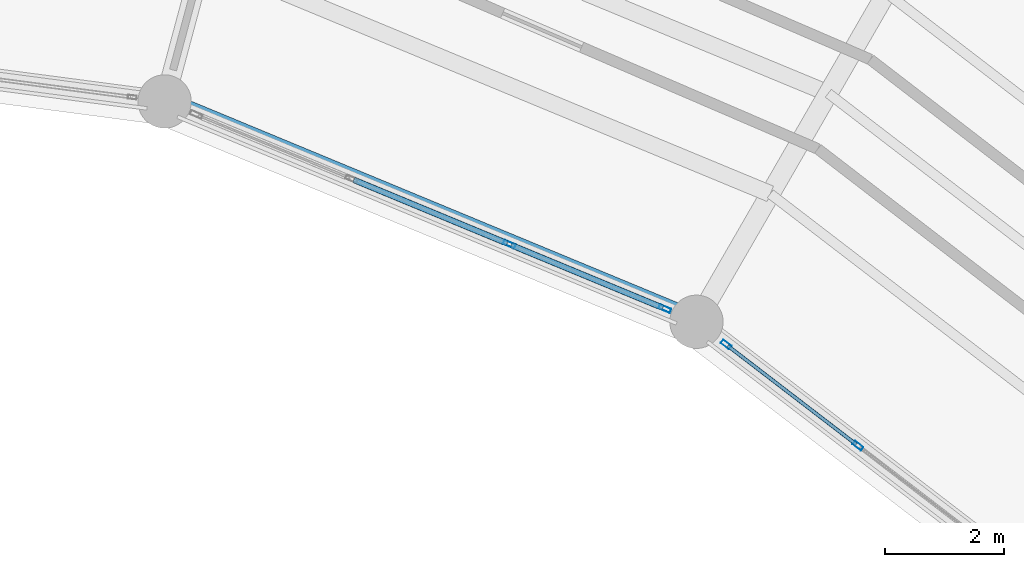
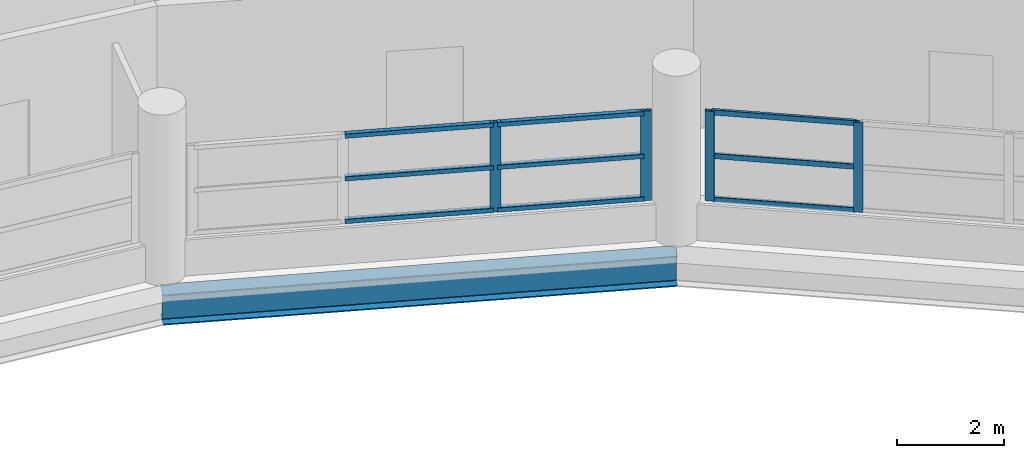
# One storey, part 67 of 108: 13 members, 1 beam, 2 elements without a shape of their own.
"""IFC4 building model written with IfcOpenShell, lengths in metres."""

from ifc_helpers import new_model, si_unit, direction, frame, origin, origin_2d, place, context, subcontext, project, spatial, hollow_rectangle, i_section, extrude, material, layer, layer_set, material_profile, profile_set, type_object, element, aggregate, save


model = new_model("IFC4")

# Units and contexts
model_context = context("Model", 3, precision=1e-05, world=origin(), true_north=direction((0.0, 1.0)))
body_context = subcontext(model_context, "Body", "Model", "MODEL_VIEW")
ifc_project = project(units=[si_unit("LENGTHUNIT", "METRE"), si_unit("AREAUNIT", "SQUARE_METRE"), si_unit("VOLUMEUNIT", "CUBIC_METRE"), si_unit("PLANEANGLEUNIT", "RADIAN"), si_unit("MASSUNIT", "GRAM", prefix="KILO")], contexts=[model_context])

# Site, building, storey
site_placement = place(None, origin())
site = spatial("IfcSite", under=ifc_project, at=site_placement, CompositionType="ELEMENT")
building_placement = place(site_placement, origin())
building = spatial("IfcBuilding", under=site, at=building_placement, Name="Vespera Passage Community Centre", CompositionType="ELEMENT")
storey_placement = place(building_placement, frame((0.0, 0.0, 12.60009765625)))
storey = spatial("IfcBuildingStorey", under=building, at=storey_placement, Name="L03", CompositionType="ELEMENT", Elevation=12.60009765625)

# Beam
ifc_material_1 = material(Name="Steel ASTM A992 Grade 50", Category="steel")
ifc_material_profile_1 = material_profile(ifc_material_1, i_section(OverallWidth=0.3544921875, OverallDepth=0.695556640625, WebThickness=0.015380859375, FlangeThickness=0.024658203125, FilletRadius=0.01513671875, at=origin_2d()), Name="W27X146")
ifc_profile_set_1 = profile_set([ifc_material_profile_1], Name="Steel ASTM A992 Grade 50")
beam_type = type_object("IfcBeamType", Name="BM-SP-W27X146E", PredefinedType="SPANDREL", material=ifc_profile_set_1)
beam_placement = place(storey_placement, frame((96.60009765625, 97.716064453125, -0.747802734375), z_axis=(-0.923878947685, 0.382684844258, 0.0), x_axis=(-0.382684844258, -0.923878947685, 0.0)))
element("IfcBeam", 1, at=beam_placement, inside=storey, type_object=beam_type, Name="V4 L03 Inner Spandrel 4", PredefinedType="SPANDREL", context=body_context, shape_type="SweptSolid", body=[
    extrude(i_section(OverallWidth=0.3544921875, OverallDepth=0.695556640625, WebThickness=0.015380859375, FlangeThickness=0.024658203125, FilletRadius=0.01513671875, at=origin_2d()), origin(), (0.0, 0.0, 1.0), 9.711181640625),
])

# Curtain wall, members
ifc_material_2 = material(Name="Anodized aluminium 6063-T6", Category="aluminium")
ifc_layer_1 = layer(ifc_material_2, 0.159912109375)
ifc_layer_set_1 = layer_set([ifc_layer_1], Name="Anodized aluminium 6063-T6")
curtain_wall_type_1 = type_object("IfcCurtainWallType", Name="CW-38E", PredefinedType="NOTDEFINED", material=ifc_layer_set_1)
curtain_wall_1_placement = place(storey_placement, origin())
curtain_wall_1 = element("IfcCurtainWall", 2, at=curtain_wall_1_placement, inside=storey, type_object=curtain_wall_type_1, Name="V4 L03 Inner Court Curtain Wall 3", PredefinedType="NOTDEFINED")
ifc_material_3 = material(Name="Anodized aluminium 6063-T6", Category="aluminium")
ifc_material_profile_2 = material_profile(ifc_material_3, hollow_rectangle(XDim=0.074951171875, YDim=0.179931640625, WallThickness=0.0048828125, InnerFilletRadius=0.00244140625, OuterFilletRadius=0.0048828125, at=origin_2d()), Name="ALU180X75X5")
ifc_profile_set_2 = profile_set([ifc_material_profile_2], Name="Anodized aluminium 6063-T6")
member_type_1 = type_object("IfcMemberType", Name="MB-CWM-180E", PredefinedType="MULLION", material=ifc_profile_set_2)
member_1_placement = place(storey_placement, frame((99.324951171875, 95.625244140625, 0.81982421875), z_axis=(0.0, 0.0, 1.0), x_axis=(-0.608755087843, -0.793358205999, 0.0)))
member_1 = element("IfcMember", 3, at=member_1_placement, type_object=member_type_1, Name="CW-38E mullion 3", PredefinedType="MULLION", context=body_context, shape_type="SweptSolid", body=[
    extrude(hollow_rectangle(XDim=0.074951171875, YDim=0.179931640625, WallThickness=0.0048828125, InnerFilletRadius=0.00244140625, OuterFilletRadius=0.0048828125, at=origin_2d()), origin(), (0.0, 0.0, 1.0), 2.049560546875),
])
member_2_placement = place(storey_placement, frame((97.100341796875, 97.332275390625, 0.81982421875), z_axis=(0.0, 0.0, 1.0), x_axis=(-0.608755087843, -0.793358205999, 0.0)))
member_2 = element("IfcMember", 4, at=member_2_placement, type_object=member_type_1, Name="CW-38E mullion 4", PredefinedType="MULLION", context=body_context, shape_type="SweptSolid", body=[
    extrude(hollow_rectangle(XDim=0.074951171875, YDim=0.179931640625, WallThickness=0.0048828125, InnerFilletRadius=0.00244140625, OuterFilletRadius=0.0048828125, at=origin_2d()), origin(), (0.0, 0.0, 1.0), 2.049560546875),
])

ifc_material_4 = material(Name="Anodized aluminium 6063-T6", Category="aluminium")
ifc_layer_2 = layer(ifc_material_4, 0.159912109375)
ifc_layer_set_2 = layer_set([ifc_layer_2], Name="Anodized aluminium 6063-T6")
curtain_wall_type_2 = type_object("IfcCurtainWallType", Name="CW-40E", PredefinedType="NOTDEFINED", material=ifc_layer_set_2)
curtain_wall_2_placement = place(storey_placement, origin())
curtain_wall_2 = element("IfcCurtainWall", 5, at=curtain_wall_2_placement, inside=storey, type_object=curtain_wall_type_2, Name="V4 L03 Inner Court Curtain Wall 4", PredefinedType="NOTDEFINED")
ifc_material_5 = material(Name="Anodized aluminium 6063-T6", Category="aluminium")
ifc_material_profile_3 = material_profile(ifc_material_5, hollow_rectangle(XDim=0.074951171875, YDim=0.2099609375, WallThickness=0.0048828125, InnerFilletRadius=0.00244140625, OuterFilletRadius=0.0048828125, at=origin_2d()), Name="ALU210X75X5")
ifc_profile_set_3 = profile_set([ifc_material_profile_3], Name="Anodized aluminium 6063-T6")
member_type_2 = type_object("IfcMemberType", Name="MB-CWM-210E", PredefinedType="MULLION", material=ifc_profile_set_3)
member_3_placement = place(storey_placement, frame((96.066650390625, 97.93701171875, 0.81982421875), z_axis=(0.0, 0.0, 1.0), x_axis=(-0.382690463482, -0.923876620096, 0.0)))
member_3 = element("IfcMember", 6, at=member_3_placement, type_object=member_type_2, Name="CW-40E mullion 1", PredefinedType="MULLION", context=body_context, shape_type="SweptSolid", body=[
    extrude(hollow_rectangle(XDim=0.074951171875, YDim=0.2099609375, WallThickness=0.0048828125, InnerFilletRadius=0.00244140625, OuterFilletRadius=0.0048828125, at=origin_2d()), origin(), (0.0, 0.0, 1.0), 2.049560546875),
])
member_4_placement = place(storey_placement, frame((93.443115234375, 99.023681640625, 0.81982421875), z_axis=(0.0, 0.0, 1.0), x_axis=(-0.382690463482, -0.923876620096, 0.0)))
member_4 = element("IfcMember", 7, at=member_4_placement, type_object=member_type_2, Name="CW-40E mullion 2", PredefinedType="MULLION", context=body_context, shape_type="SweptSolid", body=[
    extrude(hollow_rectangle(XDim=0.074951171875, YDim=0.2099609375, WallThickness=0.0048828125, InnerFilletRadius=0.00244140625, OuterFilletRadius=0.0048828125, at=origin_2d()), origin(), (0.0, 0.0, 1.0), 2.049560546875),
])
ifc_material_6 = material(Name="Anodized aluminium 6063-T6", Category="aluminium")
ifc_material_profile_4 = material_profile(ifc_material_6, hollow_rectangle(XDim=0.10009765625, YDim=0.10009765625, WallThickness=0.00390625, InnerFilletRadius=0.001953125, OuterFilletRadius=0.00390625, at=origin_2d()), Name="ALU100X100X4")
ifc_profile_set_4 = profile_set([ifc_material_profile_4], Name="Anodized aluminium 6063-T6")
member_type_3 = type_object("IfcMemberType", Name="MB-CWT-100E", PredefinedType="USERDEFINED", material=ifc_profile_set_4)
member_5_placement = place(storey_placement, frame((96.0322265625, 97.951416015625, 0.869873046875), z_axis=(-0.923908142805, 0.382614353701, 0.0), x_axis=(-0.382614353701, -0.923908142805, 0.0)))
member_5 = element("IfcMember", 8, at=member_5_placement, type_object=member_type_3, Name="CW-40E transom 1.1", ObjectType="TRANSOM", PredefinedType="USERDEFINED", context=body_context, shape_type="SweptSolid", body=[
    extrude(hollow_rectangle(XDim=0.10009765625, YDim=0.10009765625, WallThickness=0.00390625, InnerFilletRadius=0.001953125, OuterFilletRadius=0.00390625, at=origin_2d()), origin(), (0.0, 0.0, 1.0), 2.764892578125),
])
member_6_placement = place(storey_placement, frame((96.0322265625, 97.951416015625, 1.844482421875), z_axis=(-0.923908142805, 0.382614353701, 0.0), x_axis=(-0.382614353701, -0.923908142805, 0.0)))
member_6 = element("IfcMember", 9, at=member_6_placement, type_object=member_type_3, Name="CW-40E transom 1.2", ObjectType="TRANSOM", PredefinedType="USERDEFINED", context=body_context, shape_type="SweptSolid", body=[
    extrude(hollow_rectangle(XDim=0.10009765625, YDim=0.10009765625, WallThickness=0.00390625, InnerFilletRadius=0.001953125, OuterFilletRadius=0.00390625, at=origin_2d()), origin(), (0.0, 0.0, 1.0), 2.764892578125),
])
member_7_placement = place(storey_placement, frame((96.0322265625, 97.951416015625, 2.8193359375), z_axis=(-0.923908142805, 0.382614353701, 0.0), x_axis=(-0.382614353701, -0.923908142805, 0.0)))
member_7 = element("IfcMember", 10, at=member_7_placement, type_object=member_type_3, Name="CW-40E transom 1.3", ObjectType="TRANSOM", PredefinedType="USERDEFINED", context=body_context, shape_type="SweptSolid", body=[
    extrude(hollow_rectangle(XDim=0.10009765625, YDim=0.10009765625, WallThickness=0.00390625, InnerFilletRadius=0.001953125, OuterFilletRadius=0.00390625, at=origin_2d()), origin(), (0.0, 0.0, 1.0), 2.764892578125),
])
member_8_placement = place(storey_placement, frame((93.408447265625, 99.0380859375, 0.869873046875), z_axis=(-0.923889408399, 0.382659588994, 0.0), x_axis=(-0.382659588994, -0.923889408399, 0.0)))
member_8 = element("IfcMember", 11, at=member_8_placement, type_object=member_type_3, Name="CW-40E transom 2.1", ObjectType="TRANSOM", PredefinedType="USERDEFINED", context=body_context, shape_type="SweptSolid", body=[
    extrude(hollow_rectangle(XDim=0.10009765625, YDim=0.10009765625, WallThickness=0.00390625, InnerFilletRadius=0.001953125, OuterFilletRadius=0.00390625, at=origin_2d()), origin(), (0.0, 0.0, 1.0), 2.80224609375),
])
member_9_placement = place(storey_placement, frame((93.408447265625, 99.0380859375, 1.844482421875), z_axis=(-0.923889408399, 0.382659588994, 0.0), x_axis=(-0.382659588994, -0.923889408399, 0.0)))
member_9 = element("IfcMember", 12, at=member_9_placement, type_object=member_type_3, Name="CW-40E transom 2.2", ObjectType="TRANSOM", PredefinedType="USERDEFINED", context=body_context, shape_type="SweptSolid", body=[
    extrude(hollow_rectangle(XDim=0.10009765625, YDim=0.10009765625, WallThickness=0.00390625, InnerFilletRadius=0.001953125, OuterFilletRadius=0.00390625, at=origin_2d()), origin(), (0.0, 0.0, 1.0), 2.80224609375),
])
member_10_placement = place(storey_placement, frame((93.408447265625, 99.0380859375, 2.8193359375), z_axis=(-0.923889408399, 0.382659588994, 0.0), x_axis=(-0.382659588994, -0.923889408399, 0.0)))
member_10 = element("IfcMember", 13, at=member_10_placement, type_object=member_type_3, Name="CW-40E transom 2.3", ObjectType="TRANSOM", PredefinedType="USERDEFINED", context=body_context, shape_type="SweptSolid", body=[
    extrude(hollow_rectangle(XDim=0.10009765625, YDim=0.10009765625, WallThickness=0.00390625, InnerFilletRadius=0.001953125, OuterFilletRadius=0.00390625, at=origin_2d()), origin(), (0.0, 0.0, 1.0), 2.80224609375),
])
aggregate(curtain_wall_2, [member_3, member_4, member_5, member_6, member_7, member_8, member_9, member_10])

# Member
ifc_material_7 = material(Name="Anodized aluminium 6063-T6", Category="aluminium")
ifc_material_profile_5 = material_profile(ifc_material_7, hollow_rectangle(XDim=0.06005859375, YDim=0.1201171875, WallThickness=0.00390625, InnerFilletRadius=0.001953125, OuterFilletRadius=0.00390625, at=origin_2d()), Name="ALU120X60X4")
ifc_profile_set_5 = profile_set([ifc_material_profile_5], Name="Anodized aluminium 6063-T6")
member_type_4 = type_object("IfcMemberType", Name="MB-CWT-120E", PredefinedType="USERDEFINED", material=ifc_profile_set_5)
member_11_placement = place(storey_placement, frame((99.295166015625, 95.64794921875, 0.849853515625), z_axis=(-0.793338465411, 0.608780813839, 0.0), x_axis=(-0.608780813839, -0.793338465411, 0.0)))
member_11 = element("IfcMember", 14, at=member_11_placement, type_object=member_type_4, Name="CW-38E transom 3.1", ObjectType="TRANSOM", PredefinedType="USERDEFINED", context=body_context, shape_type="SweptSolid", body=[
    extrude(hollow_rectangle(XDim=0.06005859375, YDim=0.1201171875, WallThickness=0.00390625, InnerFilletRadius=0.001953125, OuterFilletRadius=0.00390625, at=origin_2d()), origin(), (0.0, 0.0, 1.0), 2.72900390625),
])

member_12_placement = place(storey_placement, frame((99.295166015625, 95.64794921875, 1.844482421875), z_axis=(-0.793338465411, 0.608780813839, 0.0), x_axis=(-0.608780813839, -0.793338465411, 0.0)))
member_12 = element("IfcMember", 15, at=member_12_placement, type_object=member_type_4, Name="CW-38E transom 3.2", ObjectType="TRANSOM", PredefinedType="USERDEFINED", context=body_context, shape_type="SweptSolid", body=[
    extrude(hollow_rectangle(XDim=0.06005859375, YDim=0.1201171875, WallThickness=0.00390625, InnerFilletRadius=0.001953125, OuterFilletRadius=0.00390625, at=origin_2d()), origin(), (0.0, 0.0, 1.0), 2.72900390625),
])

member_13_placement = place(storey_placement, frame((99.295166015625, 95.64794921875, 2.83935546875), z_axis=(-0.793338465411, 0.608780813839, 0.0), x_axis=(-0.608780813839, -0.793338465411, 0.0)))
member_13 = element("IfcMember", 16, at=member_13_placement, type_object=member_type_4, Name="CW-38E transom 3.3", ObjectType="TRANSOM", PredefinedType="USERDEFINED", context=body_context, shape_type="SweptSolid", body=[
    extrude(hollow_rectangle(XDim=0.06005859375, YDim=0.1201171875, WallThickness=0.00390625, InnerFilletRadius=0.001953125, OuterFilletRadius=0.00390625, at=origin_2d()), origin(), (0.0, 0.0, 1.0), 2.72900390625),
])

aggregate(curtain_wall_1, [member_1, member_2, member_11, member_12, member_13])

save(model, "model.ifc")
